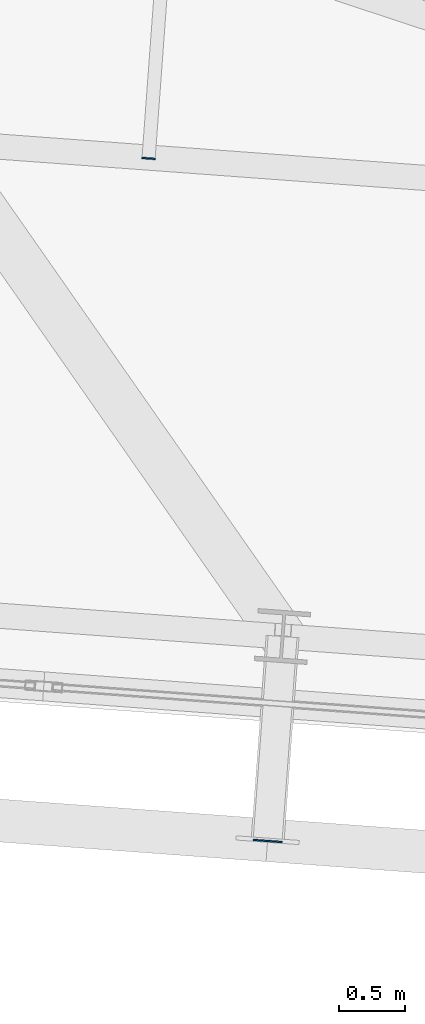
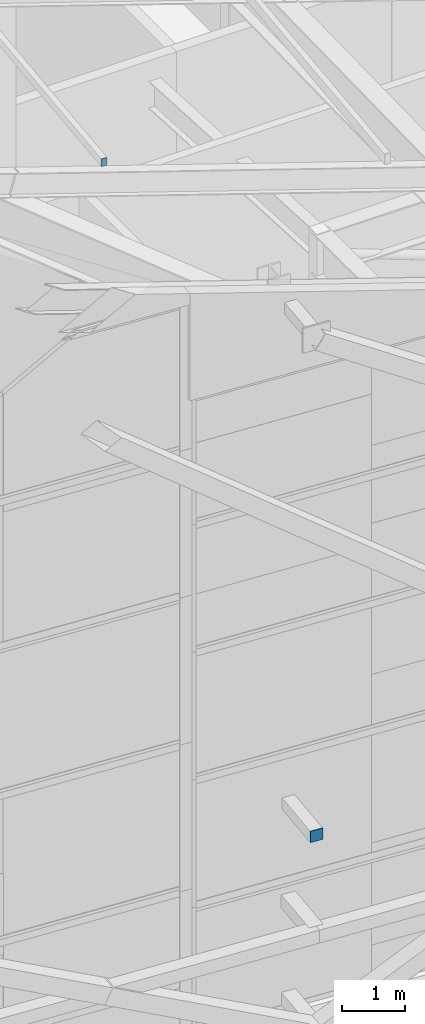
# One storey, part 36 of 56: 2 plates.
"""IFC4 building model written with IfcOpenShell, lengths in metres."""

from ifc_helpers import new_model, si_unit, direction, frame, origin, origin_2d, place, context, subcontext, project, spatial, rectangle, extrude, source, transform, mapped, material, layer, layer_set, type_object, element, save


model = new_model("IFC4")

# Units and contexts
model_context = context("Model", 3, precision=1e-05, world=origin(), true_north=direction((0.0, 1.0)))
body_context = subcontext(model_context, "Body", "Model", "MODEL_VIEW")
ifc_project = project(units=[si_unit("LENGTHUNIT", "METRE"), si_unit("AREAUNIT", "SQUARE_METRE"), si_unit("VOLUMEUNIT", "CUBIC_METRE"), si_unit("PLANEANGLEUNIT", "RADIAN"), si_unit("MASSUNIT", "GRAM", prefix="KILO")], contexts=[model_context])

# Site, building, storey
site_placement = place(None, origin())
site = spatial("IfcSite", under=ifc_project, at=site_placement, CompositionType="ELEMENT")
building_placement = place(site_placement, origin())
building = spatial("IfcBuilding", under=site, at=building_placement, Name="Taldren Reach Tower", CompositionType="ELEMENT")
storey_placement = place(building_placement, frame((0.0, 0.0, 253.050048828125)))
storey = spatial("IfcBuildingStorey", under=building, at=storey_placement, Name="L77", CompositionType="ELEMENT", Elevation=253.050048828125)

# Plates
ifc_material_1 = material(Name="Steel Gr 450 (C450L0)", Category="steel")
ifc_layer_1 = layer(ifc_material_1, 0.011962890625)
ifc_layer_set_1 = layer_set([ifc_layer_1], Name="Steel Gr 450 (C450L0)")
plate_type_1 = type_object("IfcPlateType", Name="PL-CAP-220", PredefinedType="SHEET", material=ifc_layer_set_1)
shared_shape_1 = source(origin(), body_context, "Body", "SweptSolid", [
    extrude(rectangle(XDim=0.219970703125, YDim=0.011962890625, at=origin_2d()), origin(), (0.0, 0.0, 1.0), 0.219970703125),
])
plate_1_placement = place(storey_placement, frame((22.486572265625, 4.360595703125, 3.89013671875), z_axis=(0.0, 0.0, 1.0), x_axis=(0.997314477224, -0.073238197128, 0.0)))
element("IfcPlate", 1, at=plate_1_placement, inside=storey, type_object=plate_type_1, Name="Tie strut end cap plate B5-S2 L77", PredefinedType="SHEET", context=body_context, shape_type="MappedRepresentation", body=[
    mapped(shared_shape_1, transform((0.0, 0.0, 0.0), scale=1.0)),
])
ifc_material_2 = material(Name="Steel Gr 350 (C350L0)", Category="steel")
ifc_layer_2 = layer(ifc_material_2, 0.011962890625)
ifc_layer_set_2 = layer_set([ifc_layer_2], Name="Steel Gr 350 (C350L0)")
plate_type_2 = type_object("IfcPlateType", Name="PL-CAP-100X150", PredefinedType="SHEET", material=ifc_layer_set_2)
shared_shape_2 = source(origin(), body_context, "Body", "SweptSolid", [
    extrude(rectangle(XDim=0.10009765625, YDim=0.011962890625, at=origin_2d()), origin(), (0.0, 0.0, 1.0), 0.14990234375),
])
plate_2_placement = place(storey_placement, frame((21.58349609375, 9.54052734375, 14.16015625), z_axis=(0.0, 0.0, 1.0), x_axis=(0.997314477224, -0.073238197128, 0.0)))
element("IfcPlate", 2, at=plate_2_placement, inside=storey, type_object=plate_type_2, Name="Crown roof purlin end cap plate PR-2.1", PredefinedType="SHEET", context=body_context, shape_type="MappedRepresentation", body=[
    mapped(shared_shape_2, transform((0.0, 0.0, 0.0), scale=1.0)),
])

save(model, "model.ifc")
